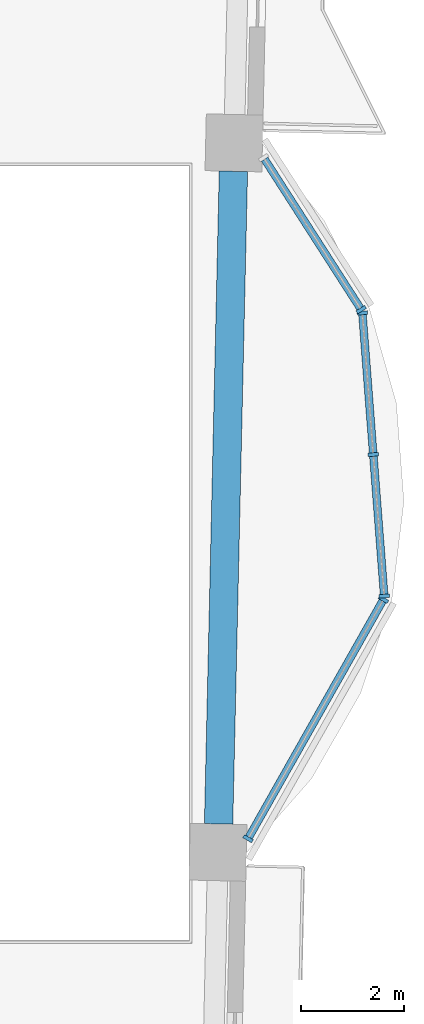
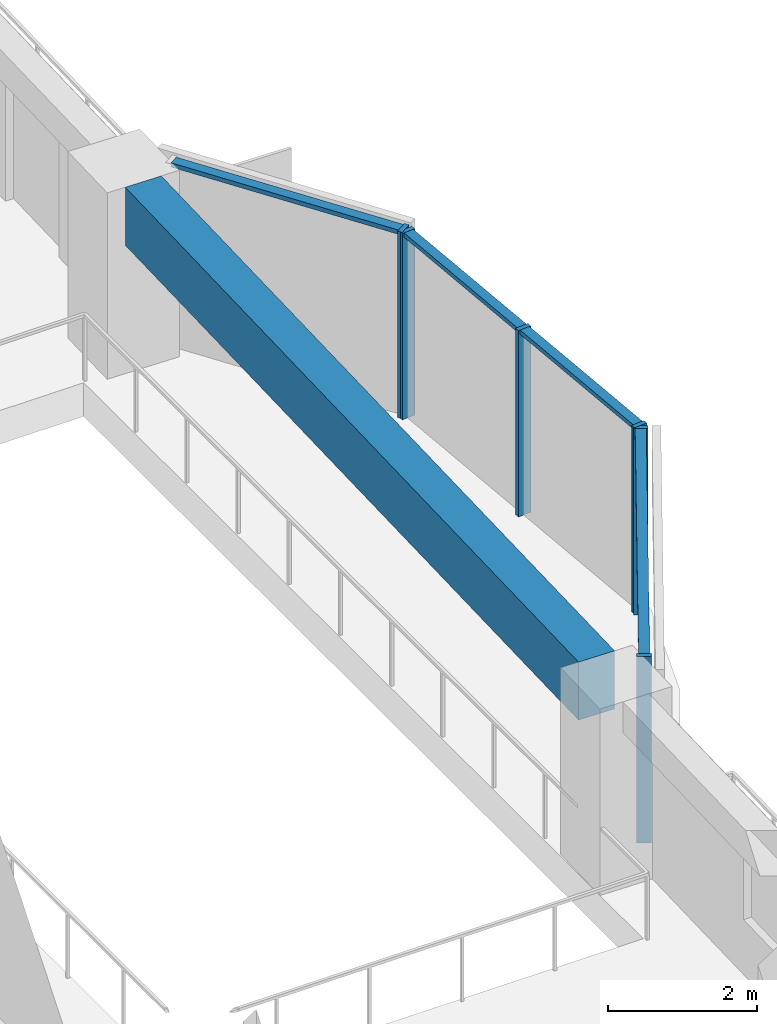
# One storey, part 2 of 16: 10 members, 1 beam, 3 elements without a shape of their own.
"""IFC4 building model written with IfcOpenShell, lengths in metres."""

from ifc_helpers import new_model, si_unit, direction, frame, origin, origin_2d, place, context, subcontext, project, spatial, rectangle, extrude, material, material_profile, profile_set, type_object, element, aggregate, save


model = new_model("IFC4")

# Units and contexts
model_context = context("Model", 3, precision=1e-05, world=origin(), true_north=direction((0.0, 1.0)))
body_context = subcontext(model_context, "Body", "Model", "MODEL_VIEW")
ifc_project = project(units=[si_unit("LENGTHUNIT", "METRE"), si_unit("AREAUNIT", "SQUARE_METRE"), si_unit("VOLUMEUNIT", "CUBIC_METRE"), si_unit("PLANEANGLEUNIT", "RADIAN"), si_unit("MASSUNIT", "GRAM", prefix="KILO")], contexts=[model_context])

# Site, building, storey
site_placement = place(None, origin())
site = spatial("IfcSite", under=ifc_project, at=site_placement, CompositionType="ELEMENT")
building_placement = place(site_placement, origin())
building = spatial("IfcBuilding", under=site, at=building_placement, Name="Mangrove Gate Tower", CompositionType="ELEMENT")
storey_placement = place(building_placement, frame((0.0, 0.0, 215.89990234375)))
storey = spatial("IfcBuildingStorey", under=building, at=storey_placement, Name="L55", CompositionType="ELEMENT", Elevation=215.89990234375)

# Curtain wall, members
ifc_material_1 = material(Name="Aluminium and glass curtain wall", Category="aluminium")
curtain_wall_type = type_object("IfcCurtainWallType", Name="Atrium garden-court glazing wall", PredefinedType="NOTDEFINED", material=ifc_material_1)
curtain_wall_1_placement = place(storey_placement, origin())
curtain_wall_1 = element("IfcCurtainWall", 1, at=curtain_wall_1_placement, inside=storey, type_object=curtain_wall_type, Name="Atrium garden-court glazing E1f1", PredefinedType="NOTDEFINED")
ifc_material_2 = material(Name="Aluminium alloy 6063-T6", Category="aluminium")
ifc_material_profile_1 = material_profile(ifc_material_2, rectangle(XDim=0.070068359375, YDim=0.199951171875, at=origin_2d()))
ifc_profile_set_1 = profile_set([ifc_material_profile_1], Name="Aluminium alloy 6063-T6")
member_type_1 = type_object("IfcMemberType", Name="Atrium garden-court glazing mullion 70x200", PredefinedType="MULLION", material=ifc_profile_set_1)
member_1_placement = place(storey_placement, frame((24.141845703125, -5.53564453125, 0.0), z_axis=(0.0, 0.0, 1.0), x_axis=(0.492599932635, 0.870255885569, 0.0)))
member_1 = element("IfcMember", 2, at=member_1_placement, type_object=member_type_1, Name="CWA mullion 1", PredefinedType="MULLION", context=body_context, shape_type="SweptSolid", body=[
    extrude(rectangle(XDim=0.070068359375, YDim=0.199951171875, at=origin_2d()), origin(), (0.0, 0.0, 1.0), 3.050048828125),
])
member_2_placement = place(storey_placement, frame((26.7666015625, -0.8984375, 0.0), z_axis=(0.0, 0.0, 1.0), x_axis=(0.492599932635, 0.870255885569, 0.0)))
member_2 = element("IfcMember", 3, at=member_2_placement, type_object=member_type_1, Name="CWA mullion 2", PredefinedType="MULLION", context=body_context, shape_type="SweptSolid", body=[
    extrude(rectangle(XDim=0.070068359375, YDim=0.199951171875, at=origin_2d()), origin(), (0.0, 0.0, 1.0), 3.050048828125),
])

curtain_wall_2_placement = place(storey_placement, origin())
curtain_wall_2 = element("IfcCurtainWall", 4, at=curtain_wall_2_placement, inside=storey, type_object=curtain_wall_type, Name="Atrium garden-court glazing E1f2", PredefinedType="NOTDEFINED")
member_3_placement = place(storey_placement, frame((26.78125, -0.8330078125, 0.0), z_axis=(0.0, 0.0, 1.0), x_axis=(-0.077023348229, 0.997029289353, 0.0)))
member_3 = element("IfcMember", 5, at=member_3_placement, type_object=member_type_1, Name="CWA mullion 1", PredefinedType="MULLION", context=body_context, shape_type="SweptSolid", body=[
    extrude(rectangle(XDim=0.070068359375, YDim=0.199951171875, at=origin_2d()), origin(), (0.0, 0.0, 1.0), 3.050048828125),
])
member_4_placement = place(storey_placement, frame((26.5693359375, 1.910400390625, 0.0), z_axis=(0.0, 0.0, 1.0), x_axis=(-0.077023348229, 0.997029289353, 0.0)))
member_4 = element("IfcMember", 6, at=member_4_placement, type_object=member_type_1, Name="CWA mullion 2", PredefinedType="MULLION", context=body_context, shape_type="SweptSolid", body=[
    extrude(rectangle(XDim=0.070068359375, YDim=0.199951171875, at=origin_2d()), origin(), (0.0, 0.0, 1.0), 3.050048828125),
])
member_5_placement = place(storey_placement, frame((26.357177734375, 4.654052734375, 0.0), z_axis=(0.0, 0.0, 1.0), x_axis=(-0.077023348229, 0.997029289353, 0.0)))
member_5 = element("IfcMember", 7, at=member_5_placement, type_object=member_type_1, Name="CWA mullion 3", PredefinedType="MULLION", context=body_context, shape_type="SweptSolid", body=[
    extrude(rectangle(XDim=0.070068359375, YDim=0.199951171875, at=origin_2d()), origin(), (0.0, 0.0, 1.0), 3.050048828125),
])

# Curtain wall, member
curtain_wall_3_placement = place(storey_placement, origin())
curtain_wall_3 = element("IfcCurtainWall", 8, at=curtain_wall_3_placement, inside=storey, type_object=curtain_wall_type, Name="Atrium garden-court glazing E1f3", PredefinedType="NOTDEFINED")
member_6_placement = place(storey_placement, frame((26.335693359375, 4.71826171875, 0.0), z_axis=(0.0, 0.0, 1.0), x_axis=(-0.540523066602, 0.841329195067, 0.0)))
member_6 = element("IfcMember", 9, at=member_6_placement, type_object=member_type_1, Name="CWA mullion 1", PredefinedType="MULLION", context=body_context, shape_type="SweptSolid", body=[
    extrude(rectangle(XDim=0.070068359375, YDim=0.199951171875, at=origin_2d()), origin(), (0.0, 0.0, 1.0), 3.050048828125),
])

# Member
ifc_material_3 = material(Name="Aluminium alloy 6063-T6", Category="aluminium")
ifc_material_profile_2 = material_profile(ifc_material_3, rectangle(XDim=0.070068359375, YDim=0.14990234375, at=origin_2d()))
ifc_profile_set_2 = profile_set([ifc_material_profile_2], Name="Aluminium alloy 6063-T6")
member_type_2 = type_object("IfcMemberType", Name="Atrium garden-court glazing transom 70x150", PredefinedType="USERDEFINED", material=ifc_profile_set_2)
member_7_placement = place(storey_placement, frame((24.158935546875, -5.505126953125, 3.01513671875), z_axis=(0.492604854248, 0.870253099719, 0.0), x_axis=(0.0, 0.0, 1.0)))
member_7 = element("IfcMember", 10, at=member_7_placement, type_object=member_type_2, Name="CWA transom 1.2", ObjectType="TRANSOM", PredefinedType="USERDEFINED", context=body_context, shape_type="SweptSolid", body=[
    extrude(rectangle(XDim=0.070068359375, YDim=0.14990234375, at=origin_2d()), origin(), (0.0, 0.0, 1.0), 5.258544921875),
])

aggregate(curtain_wall_1, [member_1, member_2, member_7])

member_8_placement = place(storey_placement, frame((26.778564453125, -0.798095703125, 3.01513671875), z_axis=(-0.077023719707, 0.997029260655, 0.0), x_axis=(0.0, 0.0, 1.0)))
member_8 = element("IfcMember", 11, at=member_8_placement, type_object=member_type_2, Name="CWA transom 1.2", ObjectType="TRANSOM", PredefinedType="USERDEFINED", context=body_context, shape_type="SweptSolid", body=[
    extrude(rectangle(XDim=0.070068359375, YDim=0.14990234375, at=origin_2d()), origin(), (0.0, 0.0, 1.0), 2.681640625),
])

member_9_placement = place(storey_placement, frame((26.56640625, 1.9453125, 3.01513671875), z_axis=(-0.07701672858, 0.997029800718, 0.0), x_axis=(0.0, 0.0, 1.0)))
member_9 = element("IfcMember", 12, at=member_9_placement, type_object=member_type_2, Name="CWA transom 2.2", ObjectType="TRANSOM", PredefinedType="USERDEFINED", context=body_context, shape_type="SweptSolid", body=[
    extrude(rectangle(XDim=0.070068359375, YDim=0.14990234375, at=origin_2d()), origin(), (0.0, 0.0, 1.0), 2.681884765625),
])

aggregate(curtain_wall_2, [member_3, member_4, member_5, member_8, member_9])

member_10_placement = place(storey_placement, frame((26.316650390625, 4.747802734375, 3.01513671875), z_axis=(-0.540473277627, 0.841361180571, 0.0), x_axis=(0.0, 0.0, 1.0)))
member_10 = element("IfcMember", 13, at=member_10_placement, type_object=member_type_2, Name="CWA transom 1.2", ObjectType="TRANSOM", PredefinedType="USERDEFINED", context=body_context, shape_type="SweptSolid", body=[
    extrude(rectangle(XDim=0.070068359375, YDim=0.14990234375, at=origin_2d()), origin(), (0.0, 0.0, 1.0), 3.428955078125),
])

aggregate(curtain_wall_3, [member_6, member_10])

# Beam
ifc_material_4 = material(Name="Concrete C50/60", Category="concrete")
ifc_material_profile_3 = material_profile(ifc_material_4, rectangle(XDim=0.550048828125, YDim=0.949951171875, at=origin_2d()))
ifc_profile_set_3 = profile_set([ifc_material_profile_3], Name="Concrete C50/60")
beam_type = type_object("IfcBeamType", Name="Edge beam RC 550x950 C50/60", PredefinedType="BEAM", material=ifc_profile_set_3)
beam_placement = place(storey_placement, frame((23.571533203125, -5.248779296875, 2.5751953125), z_axis=(0.022693351373, 0.999742472742, 0.0), x_axis=(-0.999742472742, 0.022693351373, 0.0)))
element("IfcBeam", 14, at=beam_placement, inside=storey, type_object=beam_type, Name="Edge beam L55 14", PredefinedType="BEAM", context=body_context, shape_type="SweptSolid", body=[
    extrude(rectangle(XDim=0.550048828125, YDim=0.949951171875, at=origin_2d()), origin(), (0.0, 0.0, 1.0), 12.651611328125),
])

save(model, "model.ifc")
